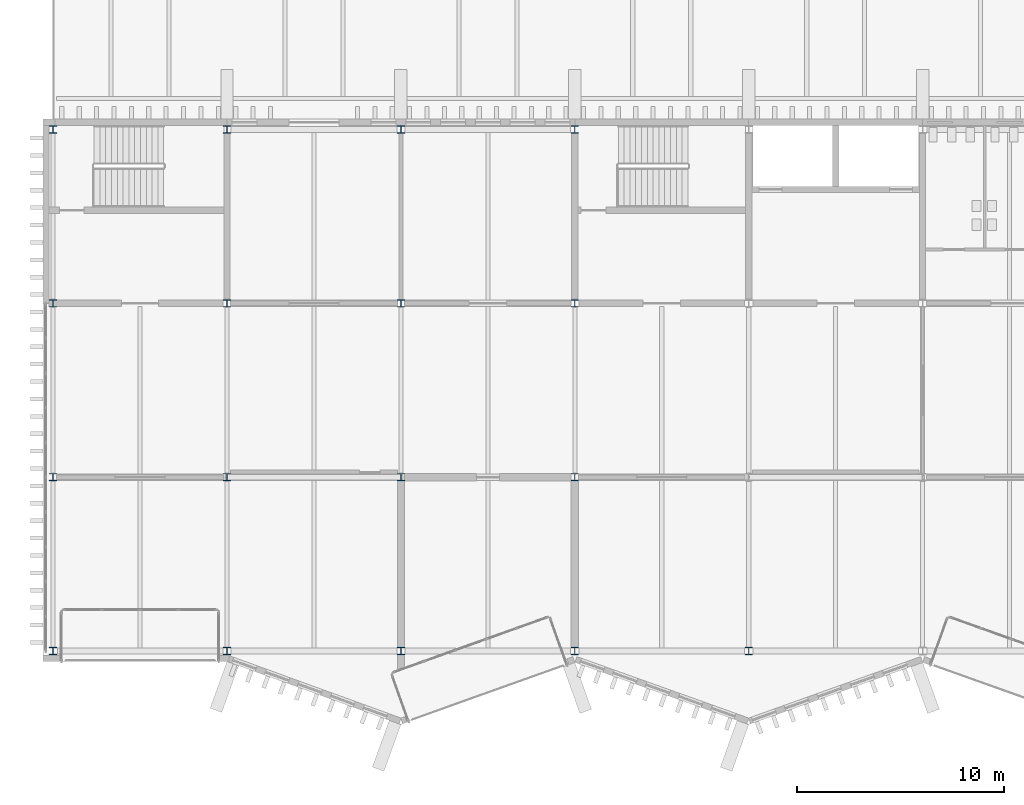
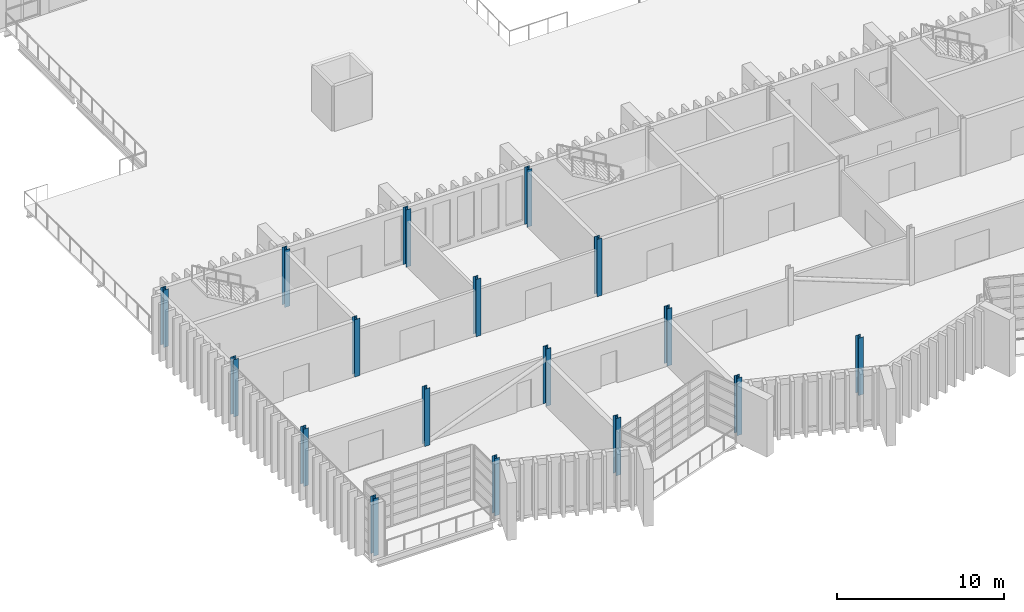
# One storey, part 1 of 96: 17 columns.
"""IFC4 building model written with IfcOpenShell, lengths in metres."""

from ifc_helpers import new_model, si_unit, direction, frame, origin, origin_2d, place, context, subcontext, project, spatial, i_section, extrude, material, material_profile, profile_set, type_object, element, save


model = new_model("IFC4")

# Units and contexts
model_context = context("Model", 3, precision=1e-05, world=origin(), true_north=direction((0.0, 1.0)))
body_context = subcontext(model_context, "Body", "Model", "MODEL_VIEW")
ifc_project = project(units=[si_unit("LENGTHUNIT", "METRE"), si_unit("AREAUNIT", "SQUARE_METRE"), si_unit("VOLUMEUNIT", "CUBIC_METRE"), si_unit("PLANEANGLEUNIT", "RADIAN"), si_unit("MASSUNIT", "GRAM", prefix="KILO")], contexts=[model_context])

# Site, building, storey
site_placement = place(None, origin())
site = spatial("IfcSite", under=ifc_project, at=site_placement, CompositionType="ELEMENT")
building_placement = place(site_placement, origin())
building = spatial("IfcBuilding", under=site, at=building_placement, Name="Cresset Court Congress Hotel", CompositionType="ELEMENT")
storey_placement = place(building_placement, frame((0.0, 0.0, 6.0)))
storey = spatial("IfcBuildingStorey", under=building, at=storey_placement, Name="L01", CompositionType="ELEMENT", Elevation=6.0)

# Columns
ifc_material = material(Name="Structural steel Q355B", Category="steel")
ifc_material_profile = material_profile(ifc_material, i_section(OverallWidth=0.35009765625, OverallDepth=0.35009765625, WebThickness=0.011962890625, FlangeThickness=0.01904296875, FilletRadius=0.012939453125, at=origin_2d()), Name="HW350x350x12x19")
ifc_profile_set = profile_set([ifc_material_profile], Name="Structural steel Q355B")
column_type = type_object("IfcColumnType", Name="Steel column HW350x350x12x19", PredefinedType="COLUMN", material=ifc_profile_set)
for number, where, z_axis, x_axis, name in (
    (1, (8.39990234375, 0.0, 0.0), (0.0, 0.0, 1.0), (1.0, 0.0, 0.0), "B.col.L01.02A"),
    (2, (8.39990234375, 8.39990234375, 0.0), (0.0, 0.0, 1.0), (1.0, 0.0, 0.0), "B.col.L01.02B"),
    (3, (8.39990234375, 16.800048828125, 0.0), (0.0, 0.0, 1.0), (1.0, 0.0, 0.0), "B.col.L01.02C"),
    (4, (8.39990234375, 25.199951171875, 0.0), (0.0, 0.0, 1.0), (1.0, 0.0, 0.0), "B.col.L01.02D"),
    (5, (16.800048828125, 0.0, 0.0), (0.0, 0.0, 1.0), (1.0, 0.0, 0.0), "B.col.L01.03A"),
    (6, (16.800048828125, 8.39990234375, 0.0), (0.0, 0.0, 1.0), (1.0, 0.0, 0.0), "B.col.L01.03B"),
    (7, (16.800048828125, 16.800048828125, 0.0), (0.0, 0.0, 1.0), (1.0, 0.0, 0.0), "B.col.L01.03C"),
    (8, (16.800048828125, 25.199951171875, 0.0), (0.0, 0.0, 1.0), (1.0, 0.0, 0.0), "B.col.L01.03D"),
    (9, (25.199951171875, 0.0, 0.0), (0.0, 0.0, 1.0), (1.0, 0.0, 0.0), "B.col.L01.04A"),
    (10, (25.199951171875, 8.39990234375, 0.0), (0.0, 0.0, 1.0), (1.0, 0.0, 0.0), "B.col.L01.04B"),
    (11, (25.199951171875, 16.800048828125, 0.0), (0.0, 0.0, 1.0), (1.0, 0.0, 0.0), "B.col.L01.04C"),
    (12, (25.199951171875, 25.199951171875, 0.0), (0.0, 0.0, 1.0), (1.0, 0.0, 0.0), "B.col.L01.04D"),
    (13, (33.60009765625, 0.0, 0.0), (0.0, 0.0, 1.0), (1.0, 0.0, 0.0), "B.col.L01.05A"),
    (14, (33.60009765625, 8.39990234375, 0.0), (0.0, 0.0, 1.0), (1.0, 0.0, 0.0), "B.col.L01.05B"),
    (15, (33.60009765625, 16.800048828125, 0.0), (0.0, 0.0, 1.0), (1.0, 0.0, 0.0), "B.col.L01.05C"),
    (16, (33.60009765625, 25.199951171875, 0.0), (0.0, 0.0, 1.0), (1.0, 0.0, 0.0), "B.col.L01.05D"),
    (17, (42.0, 0.0, 0.0), (0.0, 0.0, 1.0), (1.0, 0.0, 0.0), "B.col.L01.06A"),
):
    element("IfcColumn", number, at=place(storey_placement, frame(where, z_axis=z_axis, x_axis=x_axis)), inside=storey, type_object=column_type, Name=name, PredefinedType="COLUMN", context=body_context, shape_type="SweptSolid", body=[
        extrude(i_section(OverallWidth=0.35009765625, OverallDepth=0.35009765625, WebThickness=0.011962890625, FlangeThickness=0.01904296875, FilletRadius=0.012939453125, at=origin_2d()), origin(), (0.0, 0.0, 1.0), 4.199951171875),
    ])

save(model, "model.ifc")
